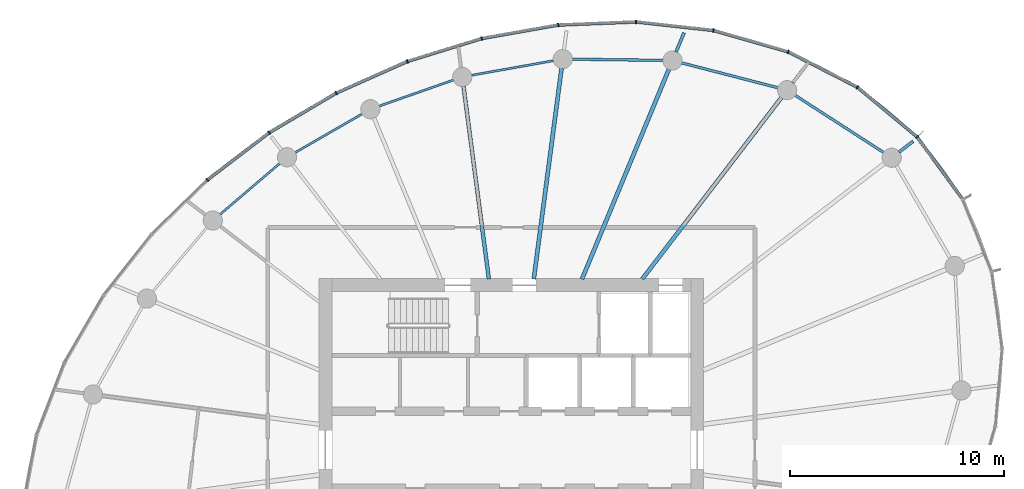
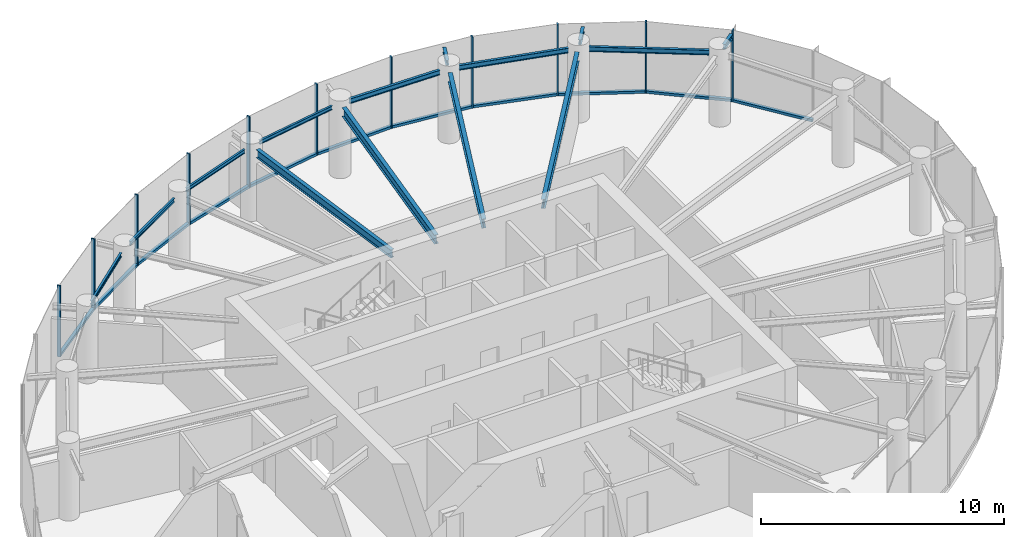
# One storey, part 6 of 13: 22 members, 14 beams, 2 elements without a shape of their own.
"""IFC4 building model written with IfcOpenShell, lengths in metres."""

import ifcopenshell
import ifcopenshell.guid

model = None  # the IFC model being written
_history = None  # IfcOwnerHistory: only IFC2X3 demands one
_inside = {}  # id of a spatial element -> (the spatial element, [elements in it])
_under = {}  # id of a project, library or spatial element -> (it, [spatial elements below it])
_declared = {}  # id of a project -> (the project, [libraries it declares])
_typed = {}  # id of a type object -> (the type object, [elements of that type])
_made_of = {}  # id of a material, layer set ... -> (it, [elements and type objects made of it])


def new_model(schema):
    """Start an empty IFC model of exactly this schema.

    Asked for "IFC4X3", IfcOpenShell would pick the latest addendum, in which some entities
    have other attributes; the version numbers below select the first issue.
    IFC2X3 requires an IfcOwnerHistory on every rooted entity: one is made here for all.
    """
    global model, _history
    if schema == "IFC4X3":
        model = ifcopenshell.file(schema_version=(4, 3, 0, 0))
    else:
        model = ifcopenshell.file(schema=schema)
    _inside.clear()
    _under.clear()
    _declared.clear()
    _typed.clear()
    _made_of.clear()
    _history = None
    if model.schema == "IFC2X3":
        org = make("IfcOrganization", Name="unknown")
        user = make(
            "IfcPersonAndOrganization",
            ThePerson=make("IfcPerson", FamilyName="unknown"),
            TheOrganization=org,
        )
        app = make(
            "IfcApplication",
            ApplicationDeveloper=org,
            Version="unknown",
            ApplicationFullName="unknown",
            ApplicationIdentifier="unknown",
        )
        _history = make(
            "IfcOwnerHistory",
            OwningUser=user,
            OwningApplication=app,
            ChangeAction="ADDED",
            CreationDate=0,
        )
    return model


def make(cls, **values):
    """One entity of the class cls with the attributes given. An attribute that is None is left unset."""
    return model.create_entity(
        cls, **{name: value for name, value in values.items() if value is not None}
    )


def rooted(cls, **values):
    """An entity with a GlobalId (a new one), such as an element, a storey or a relation."""
    return make(cls, GlobalId=ifcopenshell.guid.new(), OwnerHistory=_history, **values)


def si_unit(unit_type, name, prefix=None):
    """IfcSIUnit, for example si_unit("LENGTHUNIT", "METRE", prefix="MILLI")."""
    return make("IfcSIUnit", UnitType=unit_type, Prefix=prefix, Name=name)


def assignment(units):
    """IfcUnitAssignment: the units of a project."""
    return None if units is None else make("IfcUnitAssignment", Units=units)


def point(xyz):
    """IfcCartesianPoint."""
    return None if xyz is None else make("IfcCartesianPoint", Coordinates=xyz)


def direction(xyz):
    """IfcDirection."""
    return None if xyz is None else make("IfcDirection", DirectionRatios=xyz)


def frame(location, z_axis=None, x_axis=None):
    """IfcAxis2Placement3D, a coordinate frame: its origin and axes. An axis left out is left unset."""
    return make(
        "IfcAxis2Placement3D",
        Location=point(location),
        Axis=direction(z_axis),
        RefDirection=direction(x_axis),
    )


def frame_2d(location, x_axis=None):
    """IfcAxis2Placement2D, a coordinate frame in the plane: its origin and x axis."""
    return make(
        "IfcAxis2Placement2D", Location=point(location), RefDirection=direction(x_axis)
    )


def origin():
    """The frame at (0, 0, 0) with its axes left unset."""
    return frame((0.0, 0.0, 0.0))


def origin_2d():
    """The frame at (0, 0) in the plane with its x axis left unset."""
    return frame_2d((0.0, 0.0))


def place(relative_to, where):
    """IfcLocalPlacement: puts the frame where relative to a parent placement (None: the world)."""
    return make(
        "IfcLocalPlacement", PlacementRelTo=relative_to, RelativePlacement=where
    )


def context(
    kind, dimensions, precision=None, world=None, true_north=None, identifier=None
):
    """IfcGeometricRepresentationContext, for example the 3D "Model" context."""
    return make(
        "IfcGeometricRepresentationContext",
        ContextIdentifier=identifier,
        ContextType=kind,
        CoordinateSpaceDimension=dimensions,
        Precision=precision,
        WorldCoordinateSystem=world,
        TrueNorth=true_north,
    )


def subcontext(parent, identifier, kind, view, scale=None):
    """IfcGeometricRepresentationSubContext, for example "Body" below "Model"."""
    return make(
        "IfcGeometricRepresentationSubContext",
        ContextIdentifier=identifier,
        ContextType=kind,
        ParentContext=parent,
        TargetScale=scale,
        TargetView=view,
    )


def project(units=None, contexts=None):
    """IfcProject with its units and contexts."""
    return rooted(
        "IfcProject",
        Name="project",
        RepresentationContexts=contexts,
        UnitsInContext=assignment(units),
    )


def spatial(cls, under=None, at=None, **own):
    """A site, building, storey or space (cls), placed at a placement, below another one or the project."""
    s = rooted(cls, ObjectPlacement=at, **own)
    if under is not None:
        _under.setdefault(under.id(), (under, []))[1].append(s)
    return s


def profile(cls, at=None, kind="AREA", **sizes):
    """A parametric profile (cls). Its sizes go by their IFC names, for example OverallWidth=200.0."""
    return make(cls, ProfileType=kind, Position=at, **sizes)


def rectangle(**sizes):
    """IfcRectangleProfileDef."""
    return profile("IfcRectangleProfileDef", **sizes)


def i_section(**sizes):
    """IfcIShapeProfileDef."""
    return profile("IfcIShapeProfileDef", **sizes)


def extrude(swept, where, along, depth):
    """IfcExtrudedAreaSolid: the profile swept, set in the frame where, extruded along a direction by depth."""
    return make(
        "IfcExtrudedAreaSolid",
        SweptArea=swept,
        Position=where,
        ExtrudedDirection=direction(along),
        Depth=depth,
    )


def shape(context_of_items, identifier, shape_type, items):
    """IfcShapeRepresentation: the items that make up one representation, for example the "Body"."""
    return make(
        "IfcShapeRepresentation",
        ContextOfItems=context_of_items,
        RepresentationIdentifier=identifier,
        RepresentationType=shape_type,
        Items=items,
    )


def source(mapping_origin, context_of_items, identifier, shape_type, items):
    """IfcRepresentationMap: a shape defined once, which mapped items show again and again."""
    return make(
        "IfcRepresentationMap",
        MappingOrigin=mapping_origin,
        MappedRepresentation=shape(context_of_items, identifier, shape_type, items),
    )


def transform(
    local_origin,
    x_axis=None,
    y_axis=None,
    z_axis=None,
    scale=None,
    scale2=None,
    scale3=None,
    uniform=True,
):
    """IfcCartesianTransformationOperator3D, or its non-uniform kind. x_axis, y_axis, z_axis: its Axis1, 2, 3."""
    if uniform:
        return make(
            "IfcCartesianTransformationOperator3D",
            Axis1=direction(x_axis),
            Axis2=direction(y_axis),
            LocalOrigin=point(local_origin),
            Scale=scale,
            Axis3=direction(z_axis),
        )
    return make(
        "IfcCartesianTransformationOperator3DnonUniform",
        Axis1=direction(x_axis),
        Axis2=direction(y_axis),
        LocalOrigin=point(local_origin),
        Scale=scale,
        Axis3=direction(z_axis),
        Scale2=scale2,
        Scale3=scale3,
    )


def mapped(mapping_source, mapping_target):
    """IfcMappedItem: shows the shape of a source again, moved by a transform."""
    return make(
        "IfcMappedItem", MappingSource=mapping_source, MappingTarget=mapping_target
    )


def material(Name=None, Category=None):
    """IfcMaterial."""
    return make("IfcMaterial", Name=Name, Category=Category)


def layer(
    of_material, thickness, ventilated=None, Name=None, Category=None, Priority=None
):
    """IfcMaterialLayer: one layer of a wall or slab, of a material (None: an air gap)."""
    return make(
        "IfcMaterialLayer",
        Material=of_material,
        LayerThickness=thickness,
        IsVentilated=ventilated,
        Name=Name,
        Category=Category,
        Priority=Priority,
    )


def layer_set(layers, Name=None):
    """IfcMaterialLayerSet."""
    return make("IfcMaterialLayerSet", MaterialLayers=layers, LayerSetName=Name)


def material_profile(
    of_material, cross_section, Name=None, Category=None, Priority=None
):
    """IfcMaterialProfile: a cross section and its material."""
    return make(
        "IfcMaterialProfile",
        Name=Name,
        Material=of_material,
        Profile=cross_section,
        Priority=Priority,
        Category=Category,
    )


def profile_set(profiles, Name=None, composite=None):
    """IfcMaterialProfileSet."""
    return make(
        "IfcMaterialProfileSet",
        Name=Name,
        MaterialProfiles=profiles,
        CompositeProfile=composite,
    )


def made_of(thing, what):
    """Note that an element or type object is made of a material, layer set ...; save() writes the relation."""
    if what is not None:
        _made_of.setdefault(what.id(), (what, []))[1].append(thing)
    return thing


def type_object(cls, material=None, **own):
    """A type object (cls), such as IfcWallType, which elements share."""
    return made_of(rooted(cls, **own), material)


def element(
    cls,
    number,
    at=None,
    inside=None,
    cuts=None,
    type_object=None,
    material=None,
    context=None,
    identifier="Body",
    shape_type=None,
    held_by="IfcProductDefinitionShape",
    body=None,
    shapes=None,
    **own,
):
    """One element of the class cls, such as IfcWall. Its Tag is "e" and its number.

    at: its placement. inside: the storey or other place that contains it. cuts: it is an
    opening in that element (IfcRelVoidsElement). A single representation is given by context,
    identifier, shape_type and body (its items); several are given by shapes. held_by: the class
    of the entity that holds the representations. save() writes the other relations.
    """
    e = rooted(cls, Tag="e%d" % number, ObjectPlacement=at, **own)
    if body is not None:
        shapes = [shape(context, identifier, shape_type, body)]
    if shapes is not None:
        e.Representation = make(held_by, Representations=shapes)
    if inside is not None:
        _inside.setdefault(inside.id(), (inside, []))[1].append(e)
    if cuts is not None:
        rooted(
            "IfcRelVoidsElement", RelatingBuildingElement=cuts, RelatedOpeningElement=e
        )
    if type_object is not None:
        _typed.setdefault(type_object.id(), (type_object, []))[1].append(e)
    return made_of(e, material)


def aggregate(whole, parts):
    """IfcRelAggregates: a whole, such as a stair, and the parts it consists of."""
    return rooted("IfcRelAggregates", RelatingObject=whole, RelatedObjects=parts)


def save(model, path):
    """Write the relations noted so far, then the file.

    IfcRelAggregates (storeys below a building ...), IfcRelContainedInSpatialStructure (elements
    in a storey), IfcRelDefinesByType, IfcRelAssociatesMaterial and IfcRelDeclares: one each for
    every whole, place, type object, material and project.
    """
    for whole, parts in _under.values():
        aggregate(whole, parts)
    for where, things in _inside.values():
        rooted(
            "IfcRelContainedInSpatialStructure",
            RelatedElements=things,
            RelatingStructure=where,
        )
    for kind, things in _typed.values():
        rooted("IfcRelDefinesByType", RelatedObjects=things, RelatingType=kind)
    for what, things in _made_of.values():
        rooted("IfcRelAssociatesMaterial", RelatedObjects=things, RelatingMaterial=what)
    for by, libraries in _declared.values():
        rooted("IfcRelDeclares", RelatingContext=by, RelatedDefinitions=libraries)
    model.write(path)


model = new_model("IFC4")

# Units and contexts
model_context = context("Model", 3, precision=1e-05, world=origin(), true_north=direction((0.0, 1.0)))
body_context = subcontext(model_context, "Body", "Model", "MODEL_VIEW")
ifc_project = project(units=[si_unit("LENGTHUNIT", "METRE"), si_unit("AREAUNIT", "SQUARE_METRE"), si_unit("VOLUMEUNIT", "CUBIC_METRE"), si_unit("PLANEANGLEUNIT", "RADIAN"), si_unit("MASSUNIT", "GRAM", prefix="KILO")], contexts=[model_context])

# Site, building, storey
site_placement = place(None, origin())
site = spatial("IfcSite", under=ifc_project, at=site_placement, CompositionType="ELEMENT")
building_placement = place(site_placement, origin())
building = spatial("IfcBuilding", under=site, at=building_placement, Name="Spindrift Exchange Tower", CompositionType="ELEMENT")
storey_placement = place(building_placement, frame((0.0, 0.0, 218.89990234375)))
storey = spatial("IfcBuildingStorey", under=building, at=storey_placement, Name="L53", CompositionType="ELEMENT", Elevation=218.89990234375)

# Beams
ifc_material_1 = material(Name="Steel Grade 300", Category="steel")
ifc_material_profile_1 = material_profile(ifc_material_1, i_section(OverallWidth=0.14599609375, OverallDepth=0.251953125, WebThickness=0.006103515625, FlangeThickness=0.008544921875, FilletRadius=0.011962890625, at=origin_2d()), Name="250UB31.4")
ifc_profile_set_1 = profile_set([ifc_material_profile_1], Name="Steel Grade 300")
beam_type_1 = type_object("IfcBeamType", Name="Cantilever Beam 250UB31.4 Steel Grade 300", PredefinedType="BEAM", material=ifc_profile_set_1)
shared_shape_1 = source(origin(), body_context, "Body", "SweptSolid", [
    extrude(i_section(OverallWidth=0.14599609375, OverallDepth=0.251953125, WebThickness=0.006103515625, FlangeThickness=0.008544921875, FilletRadius=0.011962890625, at=origin_2d()), origin(), (0.0, 0.0, 1.0), 0.978515625),
])
beam_1_placement = place(storey_placement, frame((59.707275390625, 66.60693359375, 3.4541015625), z_axis=(0.382719033385, 0.923864785283, 0.0), x_axis=(-0.923864785283, 0.382719033385, 0.0)))
element("IfcBeam", 1, at=beam_1_placement, inside=storey, type_object=beam_type_1, Name="L53 cantilever beam R05T", PredefinedType="BEAM", context=body_context, shape_type="MappedRepresentation", body=[
    mapped(shared_shape_1, transform((0.0, 0.0, 0.0), scale=1.0)),
])
ifc_material_profile_2 = material_profile(ifc_material_1, i_section(OverallWidth=0.18994140625, OverallDepth=0.4541015625, WebThickness=0.008544921875, FlangeThickness=0.0126953125, FilletRadius=0.013916015625, at=origin_2d()), Name="460UB67.1")
ifc_profile_set_2 = profile_set([ifc_material_profile_2], Name="Steel Grade 300")
beam_type_2 = type_object("IfcBeamType", Name="Floor Beam 460UB67.1 Steel Grade 300", PredefinedType="BEAM", material=ifc_profile_set_2)
shared_shape_2 = source(origin(), body_context, "Body", "SweptSolid", [
    extrude(i_section(OverallWidth=0.18994140625, OverallDepth=0.4541015625, WebThickness=0.008544921875, FlangeThickness=0.0126953125, FilletRadius=0.013916015625, at=origin_2d()), origin(), (0.0, 0.0, 1.0), 10.711181640625),
])
beam_2_placement = place(storey_placement, frame((58.12646484375, 55.984130859375, 3.35302734375), z_axis=(0.608756401092, 0.793357198322, 0.0), x_axis=(-0.793357198322, 0.608756401092, 0.0)))
element("IfcBeam", 2, at=beam_2_placement, inside=storey, type_object=beam_type_2, Name="L53 radial beam R04A", PredefinedType="BEAM", context=body_context, shape_type="MappedRepresentation", body=[
    mapped(shared_shape_2, transform((0.0, 0.0, 0.0), scale=1.0)),
])
shared_shape_3 = source(origin(), body_context, "Body", "SweptSolid", [
    extrude(i_section(OverallWidth=0.18994140625, OverallDepth=0.4541015625, WebThickness=0.008544921875, FlangeThickness=0.0126953125, FilletRadius=0.013916015625, at=origin_2d()), origin(), (0.0, 0.0, 1.0), 10.64111328125),
])
beam_3_placement = place(storey_placement, frame((55.30615234375, 55.9814453125, 3.35302734375), z_axis=(0.382672627597, 0.923884007919, 0.0), x_axis=(-0.923884007919, 0.382672627597, 0.0)))
element("IfcBeam", 3, at=beam_3_placement, inside=storey, type_object=beam_type_2, Name="L53 radial beam R05A", PredefinedType="BEAM", context=body_context, shape_type="MappedRepresentation", body=[
    mapped(shared_shape_3, transform((0.0, 0.0, 0.0), scale=1.0)),
])
shared_shape_4 = source(origin(), body_context, "Body", "SweptSolid", [
    extrude(i_section(OverallWidth=0.18994140625, OverallDepth=0.4541015625, WebThickness=0.008544921875, FlangeThickness=0.0126953125, FilletRadius=0.013916015625, at=origin_2d()), origin(), (0.0, 0.0, 1.0), 9.95703125),
])
beam_4_placement = place(storey_placement, frame((53.050537109375, 55.980224609375, 3.35302734375), z_axis=(0.130541406635, 0.991442858239, 0.0), x_axis=(-0.991442858239, 0.130541406635, 0.0)))
element("IfcBeam", 4, at=beam_4_placement, inside=storey, type_object=beam_type_2, Name="L53 radial beam R06A", PredefinedType="BEAM", context=body_context, shape_type="MappedRepresentation", body=[
    mapped(shared_shape_4, transform((0.0, 0.0, 0.0), scale=1.0)),
])
ifc_material_profile_3 = material_profile(ifc_material_1, i_section(OverallWidth=0.177978515625, OverallDepth=0.403076171875, WebThickness=0.007568359375, FlangeThickness=0.010986328125, FilletRadius=0.013916015625, at=origin_2d()), Name="410UB53.7")
ifc_profile_set_3 = profile_set([ifc_material_profile_3], Name="Steel Grade 300")
beam_type_3 = type_object("IfcBeamType", Name="Floor Beam 410UB53.7 Steel Grade 300", PredefinedType="BEAM", material=ifc_profile_set_3)
shared_shape_5 = source(origin(), body_context, "Body", "SweptSolid", [
    extrude(i_section(OverallWidth=0.177978515625, OverallDepth=0.403076171875, WebThickness=0.007568359375, FlangeThickness=0.010986328125, FilletRadius=0.013916015625, at=origin_2d()), origin(), (0.0, 0.0, 1.0), 9.11376953125),
])
beam_5_placement = place(storey_placement, frame((50.949462890625, 55.980224609375, 3.378662109375), z_axis=(-0.130536972606, 0.991443442049, 0.0), x_axis=(-0.991443442049, -0.130536972606, 0.0)))
element("IfcBeam", 5, at=beam_5_placement, inside=storey, type_object=beam_type_3, Name="L53 radial beam R07A", PredefinedType="BEAM", context=body_context, shape_type="MappedRepresentation", body=[
    mapped(shared_shape_5, transform((0.0, 0.0, 0.0), scale=1.0)),
])
ifc_material_profile_4 = material_profile(ifc_material_1, i_section(OverallWidth=0.1240234375, OverallDepth=0.248046875, WebThickness=0.0048828125, FlangeThickness=0.008056640625, FilletRadius=0.011962890625, at=origin_2d()), Name="250UB25.7")
ifc_profile_set_4 = profile_set([ifc_material_profile_4], Name="Steel Grade 300")
beam_type_4 = type_object("IfcBeamType", Name="Edge Beam 250UB25.7 Steel Grade 300", PredefinedType="SPANDREL", material=ifc_profile_set_4)
shared_shape_6 = source(origin(), body_context, "Body", "SweptSolid", [
    extrude(i_section(OverallWidth=0.1240234375, OverallDepth=0.248046875, WebThickness=0.0048828125, FlangeThickness=0.008056640625, FilletRadius=0.011962890625, at=origin_2d()), origin(), (0.0, 0.0, 1.0), 4.966552734375),
])
beam_6_placement = place(storey_placement, frame((69.44091796875, 61.893310546875, 3.4560546875), z_axis=(-0.839802198579, 0.54289250065, 0.0), x_axis=(-0.54289250065, -0.839802198579, 0.0)))
element("IfcBeam", 6, at=beam_6_placement, inside=storey, type_object=beam_type_4, Name="L53 edge beam E03", PredefinedType="SPANDREL", context=body_context, shape_type="MappedRepresentation", body=[
    mapped(shared_shape_6, transform((0.0, 0.0, 0.0), scale=1.0)),
])
shared_shape_7 = source(origin(), body_context, "Body", "SweptSolid", [
    extrude(i_section(OverallWidth=0.1240234375, OverallDepth=0.248046875, WebThickness=0.0048828125, FlangeThickness=0.008056640625, FilletRadius=0.011962890625, at=origin_2d()), origin(), (0.0, 0.0, 1.0), 4.682373046875),
])
beam_7_placement = place(storey_placement, frame((64.492431640625, 64.9306640625, 3.4560546875), z_axis=(-0.968201586176, 0.250171318352, 0.0), x_axis=(-0.250171318352, -0.968201586176, 0.0)))
element("IfcBeam", 7, at=beam_7_placement, inside=storey, type_object=beam_type_4, Name="L53 edge beam E04", PredefinedType="SPANDREL", context=body_context, shape_type="MappedRepresentation", body=[
    mapped(shared_shape_7, transform((0.0, 0.0, 0.0), scale=1.0)),
])
shared_shape_8 = source(origin(), body_context, "Body", "SweptSolid", [
    extrude(i_section(OverallWidth=0.1240234375, OverallDepth=0.248046875, WebThickness=0.0048828125, FlangeThickness=0.008056640625, FilletRadius=0.011962890625, at=origin_2d()), origin(), (0.0, 0.0, 1.0), 4.27685546875),
])
beam_8_placement = place(storey_placement, frame((59.11279296875, 66.21533203125, 3.4560546875), z_axis=(-0.999910013527, 0.013415097807, 0.0), x_axis=(-0.013415097807, -0.999910013527, 0.0)))
element("IfcBeam", 8, at=beam_8_placement, inside=storey, type_object=beam_type_4, Name="L53 edge beam E05", PredefinedType="SPANDREL", context=body_context, shape_type="MappedRepresentation", body=[
    mapped(shared_shape_8, transform((0.0, 0.0, 0.0), scale=1.0)),
])
ifc_material_profile_5 = material_profile(ifc_material_1, i_section(OverallWidth=0.09912109375, OverallDepth=0.197998046875, WebThickness=0.00439453125, FlangeThickness=0.007080078125, FilletRadius=0.010986328125, at=origin_2d()), Name="200UB18.2")
ifc_profile_set_5 = profile_set([ifc_material_profile_5], Name="Steel Grade 300")
beam_type_5 = type_object("IfcBeamType", Name="Edge Beam 200UB18.2 Steel Grade 300", PredefinedType="SPANDREL", material=ifc_profile_set_5)
shared_shape_9 = source(origin(), body_context, "Body", "SweptSolid", [
    extrude(i_section(OverallWidth=0.09912109375, OverallDepth=0.197998046875, WebThickness=0.00439453125, FlangeThickness=0.007080078125, FilletRadius=0.010986328125, at=origin_2d()), origin(), (0.0, 0.0, 1.0), 3.916259765625),
])
beam_9_placement = place(storey_placement, frame((53.98291015625, 66.203125, 3.481201171875), z_axis=(-0.984558687682, -0.175054821441, 0.0), x_axis=(0.175054821441, -0.984558687682, 0.0)))
element("IfcBeam", 9, at=beam_9_placement, inside=storey, type_object=beam_type_5, Name="L53 edge beam E06", PredefinedType="SPANDREL", context=body_context, shape_type="MappedRepresentation", body=[
    mapped(shared_shape_9, transform((0.0, 0.0, 0.0), scale=1.0)),
])
shared_shape_10 = source(origin(), body_context, "Body", "SweptSolid", [
    extrude(i_section(OverallWidth=0.09912109375, OverallDepth=0.197998046875, WebThickness=0.00439453125, FlangeThickness=0.007080078125, FilletRadius=0.010986328125, at=origin_2d()), origin(), (0.0, 0.0, 1.0), 3.700439453125),
])
beam_10_placement = place(storey_placement, frame((49.298095703125, 65.300048828125, 3.481201171875), z_axis=(-0.943515334916, -0.331328858957, 0.0), x_axis=(0.331328858957, -0.943515334916, 0.0)))
element("IfcBeam", 10, at=beam_10_placement, inside=storey, type_object=beam_type_5, Name="L53 edge beam E07", PredefinedType="SPANDREL", context=body_context, shape_type="MappedRepresentation", body=[
    mapped(shared_shape_10, transform((0.0, 0.0, 0.0), scale=1.0)),
])
shared_shape_11 = source(origin(), body_context, "Body", "SweptSolid", [
    extrude(i_section(OverallWidth=0.09912109375, OverallDepth=0.197998046875, WebThickness=0.00439453125, FlangeThickness=0.007080078125, FilletRadius=0.010986328125, at=origin_2d()), origin(), (0.0, 0.0, 1.0), 3.64208984375),
])
beam_11_placement = place(storey_placement, frame((45.028564453125, 63.716552734375, 3.481201171875), z_axis=(-0.866364093123, -0.499412913476, 0.0), x_axis=(0.499412913476, -0.866364093123, 0.0)))
element("IfcBeam", 11, at=beam_11_placement, inside=storey, type_object=beam_type_5, Name="L53 edge beam E08", PredefinedType="SPANDREL", context=body_context, shape_type="MappedRepresentation", body=[
    mapped(shared_shape_11, transform((0.0, 0.0, 0.0), scale=1.0)),
])
shared_shape_12 = source(origin(), body_context, "Body", "SweptSolid", [
    extrude(i_section(OverallWidth=0.09912109375, OverallDepth=0.197998046875, WebThickness=0.00439453125, FlangeThickness=0.007080078125, FilletRadius=0.010986328125, at=origin_2d()), origin(), (0.0, 0.0, 1.0), 3.703857421875),
])
beam_12_placement = place(storey_placement, frame((41.173583984375, 61.40380859375, 3.481201171875), z_axis=(-0.7606692863, -0.64913961278, 0.0), x_axis=(0.64913961278, -0.7606692863, 0.0)))
element("IfcBeam", 12, at=beam_12_placement, inside=storey, type_object=beam_type_5, Name="L53 edge beam E09", PredefinedType="SPANDREL", context=body_context, shape_type="MappedRepresentation", body=[
    mapped(shared_shape_12, transform((0.0, 0.0, 0.0), scale=1.0)),
])
shared_shape_13 = source(origin(), body_context, "Body", "SweptSolid", [
    extrude(i_section(OverallWidth=0.14599609375, OverallDepth=0.251953125, WebThickness=0.006103515625, FlangeThickness=0.008544921875, FilletRadius=0.011962890625, at=origin_2d()), origin(), (0.0, 0.0, 1.0), 0.96484375),
])
beam_13_placement = place(storey_placement, frame((65.170654296875, 65.164306640625, 3.4541015625), z_axis=(0.608829895699, 0.793300799258, 0.0), x_axis=(-0.793300799258, 0.608829895699, 0.0)))
element("IfcBeam", 13, at=beam_13_placement, inside=storey, type_object=beam_type_1, Name="L53 cantilever beam R04T", PredefinedType="BEAM", context=body_context, shape_type="MappedRepresentation", body=[
    mapped(shared_shape_13, transform((0.0, 0.0, 0.0), scale=1.0)),
])
shared_shape_14 = source(origin(), body_context, "Body", "SweptSolid", [
    extrude(i_section(OverallWidth=0.14599609375, OverallDepth=0.251953125, WebThickness=0.006103515625, FlangeThickness=0.008544921875, FilletRadius=0.011962890625, at=origin_2d()), origin(), (0.0, 0.0, 1.0), 0.83056640625),
])
beam_14_placement = place(storey_placement, frame((70.143310546875, 61.921875, 3.4541015625), z_axis=(0.793355546488, 0.608758553826, 0.0), x_axis=(-0.608758553826, 0.793355546488, 0.0)))
element("IfcBeam", 14, at=beam_14_placement, inside=storey, type_object=beam_type_1, Name="L53 cantilever beam R03T", PredefinedType="BEAM", context=body_context, shape_type="MappedRepresentation", body=[
    mapped(shared_shape_14, transform((0.0, 0.0, 0.0), scale=1.0)),
])

# Curtain wall, members
ifc_material_2 = material(Name="Fritted laminated glass with bronze frame", Category="glass")
ifc_layer = layer(ifc_material_2, 0.169921875)
ifc_layer_set = layer_set([ifc_layer], Name="ZONE 4 BRONZE FRITTED WALL")
curtain_wall_type = type_object("IfcCurtainWallType", Name="ZONE 4 BRONZE FRITTED WALL", PredefinedType="NOTDEFINED", material=ifc_layer_set)
curtain_wall_1_placement = place(storey_placement, origin())
curtain_wall_1 = element("IfcCurtainWall", 15, at=curtain_wall_1_placement, inside=storey, type_object=curtain_wall_type, Name="L53 Zone 4 Bronze Fritted Wall run 2", PredefinedType="NOTDEFINED")
ifc_material_3 = material(Name="Bronze anodised aluminium", Category="aluminium")
ifc_material_profile_6 = material_profile(ifc_material_3, rectangle(XDim=0.14990234375, YDim=0.125, at=origin_2d()), Name="ZONE 4 BRONZE FRITTED WALL TRANSOM 150X125")
ifc_profile_set_6 = profile_set([ifc_material_profile_6], Name="Bronze anodised aluminium")
member_type_1 = type_object("IfcMemberType", Name="ZONE 4 BRONZE FRITTED WALL TRANSOM 150X125", PredefinedType="USERDEFINED", material=ifc_profile_set_6)
shared_shape_15 = source(origin(), body_context, "Body", "SweptSolid", [
    extrude(rectangle(XDim=0.14990234375, YDim=0.125, at=origin_2d()), origin(), (0.0, 0.0, 1.0), 3.57763671875),
])
member_1_placement = place(storey_placement, frame((40.641845703125, 62.8134765625, 0.0625), z_axis=(-0.794919200852, -0.606715307303, 0.0), x_axis=(0.606715307303, -0.794919200852, 0.0)))
member_1 = element("IfcMember", 16, at=member_1_placement, type_object=member_type_1, Name="L53 transom CW-4.11", ObjectType="TRANSOM", PredefinedType="USERDEFINED", context=body_context, shape_type="MappedRepresentation", body=[
    mapped(shared_shape_15, transform((0.0, 0.0, 0.0), scale=1.0)),
])
shared_shape_16 = source(origin(), body_context, "Body", "SweptSolid", [
    extrude(rectangle(XDim=0.14990234375, YDim=0.125, at=origin_2d()), origin(), (0.0, 0.0, 1.0), 3.577880859375),
])
member_2_placement = place(storey_placement, frame((50.58056640625, 67.2333984375, 0.0625), z_axis=(-0.955541153816, -0.294857768024, 0.0), x_axis=(0.294857768024, -0.955541153816, 0.0)))
member_2 = element("IfcMember", 17, at=member_2_placement, type_object=member_type_1, Name="L53 transom CW-4.8", ObjectType="TRANSOM", PredefinedType="USERDEFINED", context=body_context, shape_type="MappedRepresentation", body=[
    mapped(shared_shape_16, transform((0.0, 0.0, 0.0), scale=1.0)),
])
member_3_placement = place(storey_placement, frame((47.101318359375, 66.15576171875, 0.0625), z_axis=(-0.91381154862, -0.406138466053, 0.0), x_axis=(0.406138466053, -0.91381154862, 0.0)))
member_3 = element("IfcMember", 18, at=member_3_placement, type_object=member_type_1, Name="L53 transom CW-4.9", ObjectType="TRANSOM", PredefinedType="USERDEFINED", context=body_context, shape_type="MappedRepresentation", body=[
    mapped(shared_shape_16, transform((0.0, 0.0, 0.0), scale=1.0)),
])
member_4_placement = place(storey_placement, frame((43.774169921875, 64.6728515625, 0.0625), z_axis=(-0.860458856542, -0.509519927185, 0.0), x_axis=(0.509519927185, -0.860458856542, 0.0)))
member_4 = element("IfcMember", 19, at=member_4_placement, type_object=member_type_1, Name="L53 transom CW-4.10", ObjectType="TRANSOM", PredefinedType="USERDEFINED", context=body_context, shape_type="MappedRepresentation", body=[
    mapped(shared_shape_16, transform((0.0, 0.0, 0.0), scale=1.0)),
])

# Curtain wall, member
curtain_wall_2_placement = place(storey_placement, origin())
curtain_wall_2 = element("IfcCurtainWall", 20, at=curtain_wall_2_placement, inside=storey, type_object=curtain_wall_type, Name="L53 Zone 4 Bronze Fritted Wall run 1", PredefinedType="NOTDEFINED")
shared_shape_17 = source(origin(), body_context, "Body", "SweptSolid", [
    extrude(rectangle(XDim=0.14990234375, YDim=0.125, at=origin_2d()), origin(), (0.0, 0.0, 1.0), 3.5771484375),
])
member_5_placement = place(storey_placement, frame((57.80517578125, 68.018798828125, 0.0625), z_axis=(-0.99921074121, -0.039722722089, 0.0), x_axis=(0.039722722089, -0.99921074121, 0.0)))
member_5 = element("IfcMember", 21, at=member_5_placement, type_object=member_type_1, Name="L53 transom CW-4.6", ObjectType="TRANSOM", PredefinedType="USERDEFINED", context=body_context, shape_type="MappedRepresentation", body=[
    mapped(shared_shape_17, transform((0.0, 0.0, 0.0), scale=1.0)),
])

# Member
shared_shape_18 = source(origin(), body_context, "Body", "SweptSolid", [
    extrude(rectangle(XDim=0.14990234375, YDim=0.125, at=origin_2d()), origin(), (0.0, 0.0, 1.0), 3.577392578125),
])
member_6_placement = place(storey_placement, frame((54.16650390625, 67.869873046875, 0.0625), z_axis=(-0.984812401596, -0.173621812173, 0.0), x_axis=(0.173621812173, -0.984812401596, 0.0)))
member_6 = element("IfcMember", 22, at=member_6_placement, type_object=member_type_1, Name="L53 transom CW-4.7", ObjectType="TRANSOM", PredefinedType="USERDEFINED", context=body_context, shape_type="MappedRepresentation", body=[
    mapped(shared_shape_18, transform((0.0, 0.0, 0.0), scale=1.0)),
])

ifc_material_profile_7 = material_profile(ifc_material_3, rectangle(XDim=0.06494140625, YDim=0.169921875, at=origin_2d()), Name="ZONE 4 BRONZE FRITTED WALL MULLION 65X170")
ifc_profile_set_7 = profile_set([ifc_material_profile_7], Name="Bronze anodised aluminium")
member_type_2 = type_object("IfcMemberType", Name="ZONE 4 BRONZE FRITTED WALL MULLION 65X170", PredefinedType="MULLION", material=ifc_profile_set_7)
shared_shape_19 = source(origin(), body_context, "Body", "SweptSolid", [
    extrude(rectangle(XDim=0.06494140625, YDim=0.169921875, at=origin_2d()), origin(), (0.0, 0.0, 1.0), 3.580078125),
])
member_7_placement = place(storey_placement, frame((70.9892578125, 62.634521484375, 0.0), z_axis=(0.0, 0.0, 1.0), x_axis=(-0.684797351967, 0.728733549892, 0.0)))
member_7 = element("IfcMember", 23, at=member_7_placement, type_object=member_type_2, Name="L53 mullion CW-4.2", PredefinedType="MULLION", context=body_context, shape_type="MappedRepresentation", body=[
    mapped(shared_shape_19, transform((0.0, 0.0, 0.0), scale=1.0)),
])

member_8_placement = place(storey_placement, frame((68.19482421875, 64.96142578125, 0.0), z_axis=(0.0, 0.0, 1.0), x_axis=(-0.834421432251, 0.551126912244, 0.0)))
member_8 = element("IfcMember", 24, at=member_8_placement, type_object=member_type_2, Name="L53 mullion CW-4.3", PredefinedType="MULLION", context=body_context, shape_type="MappedRepresentation", body=[
    mapped(shared_shape_19, transform((0.0, 0.0, 0.0), scale=1.0)),
])

member_9_placement = place(storey_placement, frame((64.9560546875, 66.619140625, 0.0), z_axis=(0.0, 0.0, 1.0), x_axis=(-0.930144589665, 0.367193467148, 0.0)))
member_9 = element("IfcMember", 25, at=member_9_placement, type_object=member_type_2, Name="L53 mullion CW-4.4", PredefinedType="MULLION", context=body_context, shape_type="MappedRepresentation", body=[
    mapped(shared_shape_19, transform((0.0, 0.0, 0.0), scale=1.0)),
])

member_10_placement = place(storey_placement, frame((61.456787109375, 67.621337890625, 0.0), z_axis=(0.0, 0.0, 1.0), x_axis=(-0.981177152632, 0.193109800769, 0.0)))
member_10 = element("IfcMember", 26, at=member_10_placement, type_object=member_type_2, Name="L53 mullion CW-4.5", PredefinedType="MULLION", context=body_context, shape_type="MappedRepresentation", body=[
    mapped(shared_shape_19, transform((0.0, 0.0, 0.0), scale=1.0)),
])

member_11_placement = place(storey_placement, frame((57.837646484375, 68.02001953125, 0.0), z_axis=(0.0, 0.0, 1.0), x_axis=(-0.999386999216, 0.035008938844, 0.0)))
member_11 = element("IfcMember", 27, at=member_11_placement, type_object=member_type_2, Name="L53 mullion CW-4.6", PredefinedType="MULLION", context=body_context, shape_type="MappedRepresentation", body=[
    mapped(shared_shape_19, transform((0.0, 0.0, 0.0), scale=1.0)),
])

member_12_placement = place(storey_placement, frame((54.198486328125, 67.87548828125, 0.0), z_axis=(0.0, 0.0, 1.0), x_axis=(-0.994270390675, -0.10689429464, 0.0)))
member_12 = element("IfcMember", 28, at=member_12_placement, type_object=member_type_2, Name="L53 mullion CW-4.7", PredefinedType="MULLION", context=body_context, shape_type="MappedRepresentation", body=[
    mapped(shared_shape_19, transform((0.0, 0.0, 0.0), scale=1.0)),
])

member_13_placement = place(storey_placement, frame((50.611572265625, 67.2431640625, 0.0), z_axis=(0.0, 0.0, 1.0), x_axis=(-0.972064015487, -0.234715891656, 0.0)))
member_13 = element("IfcMember", 29, at=member_13_placement, type_object=member_type_2, Name="L53 mullion CW-4.8", PredefinedType="MULLION", context=body_context, shape_type="MappedRepresentation", body=[
    mapped(shared_shape_19, transform((0.0, 0.0, 0.0), scale=1.0)),
])

member_14_placement = place(storey_placement, frame((47.130859375, 66.1689453125, 0.0), z_axis=(0.0, 0.0, 1.0), x_axis=(-0.936323218091, -0.35113933312, 0.0)))
member_14 = element("IfcMember", 30, at=member_14_placement, type_object=member_type_2, Name="L53 mullion CW-4.9", PredefinedType="MULLION", context=body_context, shape_type="MappedRepresentation", body=[
    mapped(shared_shape_19, transform((0.0, 0.0, 0.0), scale=1.0)),
])

member_15_placement = place(storey_placement, frame((43.802001953125, 64.689453125, 0.0), z_axis=(0.0, 0.0, 1.0), x_axis=(-0.888632055107, -0.45862083537, 0.0)))
member_15 = element("IfcMember", 31, at=member_15_placement, type_object=member_type_2, Name="L53 mullion CW-4.10", PredefinedType="MULLION", context=body_context, shape_type="MappedRepresentation", body=[
    mapped(shared_shape_19, transform((0.0, 0.0, 0.0), scale=1.0)),
])

member_16_placement = place(storey_placement, frame((40.66748046875, 62.833251953125, 0.0), z_axis=(0.0, 0.0, 1.0), x_axis=(-0.829108449157, -0.559087810219, 0.0)))
member_16 = element("IfcMember", 32, at=member_16_placement, type_object=member_type_2, Name="L53 mullion CW-4.11", PredefinedType="MULLION", context=body_context, shape_type="MappedRepresentation", body=[
    mapped(shared_shape_19, transform((0.0, 0.0, 0.0), scale=1.0)),
])

member_17_placement = place(storey_placement, frame((37.77197265625, 60.623046875, 0.0), z_axis=(0.0, 0.0, 1.0), x_axis=(-0.756657450413, -0.653811519274, 0.0)))
member_17 = element("IfcMember", 33, at=member_17_placement, type_object=member_type_2, Name="L53 mullion CW-4.12", PredefinedType="MULLION", context=body_context, shape_type="MappedRepresentation", body=[
    mapped(shared_shape_19, transform((0.0, 0.0, 0.0), scale=1.0)),
])

aggregate(curtain_wall_1, [member_12, member_6, member_13, member_2, member_14, member_3, member_15, member_4, member_16, member_1, member_17])

shared_shape_20 = source(origin(), body_context, "Body", "SweptSolid", [
    extrude(rectangle(XDim=0.14990234375, YDim=0.125, at=origin_2d()), origin(), (0.0, 0.0, 1.0), 3.5703125),
])
member_18_placement = place(storey_placement, frame((73.118408203125, 59.72802734375, 0.0625), z_axis=(-0.590957446839, 0.80670273089, 0.0), x_axis=(-0.80670273089, -0.590957446839, 0.0)))
member_18 = element("IfcMember", 34, at=member_18_placement, type_object=member_type_1, Name="L53 transom CW-4.1", ObjectType="TRANSOM", PredefinedType="USERDEFINED", context=body_context, shape_type="MappedRepresentation", body=[
    mapped(shared_shape_20, transform((0.0, 0.0, 0.0), scale=1.0)),
])

shared_shape_21 = source(origin(), body_context, "Body", "SweptSolid", [
    extrude(rectangle(XDim=0.14990234375, YDim=0.125, at=origin_2d()), origin(), (0.0, 0.0, 1.0), 3.571533203125),
])
member_19_placement = place(storey_placement, frame((70.96435546875, 62.6552734375, 0.0625), z_axis=(-0.768467755551, 0.639888512695, 0.0), x_axis=(-0.639888512695, -0.768467755551, 0.0)))
member_19 = element("IfcMember", 35, at=member_19_placement, type_object=member_type_1, Name="L53 transom CW-4.2", ObjectType="TRANSOM", PredefinedType="USERDEFINED", context=body_context, shape_type="MappedRepresentation", body=[
    mapped(shared_shape_21, transform((0.0, 0.0, 0.0), scale=1.0)),
])

shared_shape_22 = source(origin(), body_context, "Body", "SweptSolid", [
    extrude(rectangle(XDim=0.14990234375, YDim=0.125, at=origin_2d()), origin(), (0.0, 0.0, 1.0), 3.5732421875),
])
member_20_placement = place(storey_placement, frame((68.165771484375, 64.976318359375, 0.0625), z_axis=(-0.890192747511, 0.455584100116, 0.0), x_axis=(-0.455584100116, -0.890192747511, 0.0)))
member_20 = element("IfcMember", 36, at=member_20_placement, type_object=member_type_1, Name="L53 transom CW-4.3", ObjectType="TRANSOM", PredefinedType="USERDEFINED", context=body_context, shape_type="MappedRepresentation", body=[
    mapped(shared_shape_22, transform((0.0, 0.0, 0.0), scale=1.0)),
])

shared_shape_23 = source(origin(), body_context, "Body", "SweptSolid", [
    extrude(rectangle(XDim=0.14990234375, YDim=0.125, at=origin_2d()), origin(), (0.0, 0.0, 1.0), 3.574951171875),
])
member_21_placement = place(storey_placement, frame((64.9248046875, 66.6279296875, 0.0625), z_axis=(-0.961343346973, 0.275352445478, 0.0), x_axis=(-0.275352445478, -0.961343346973, 0.0)))
member_21 = element("IfcMember", 37, at=member_21_placement, type_object=member_type_1, Name="L53 transom CW-4.4", ObjectType="TRANSOM", PredefinedType="USERDEFINED", context=body_context, shape_type="MappedRepresentation", body=[
    mapped(shared_shape_23, transform((0.0, 0.0, 0.0), scale=1.0)),
])

shared_shape_24 = source(origin(), body_context, "Body", "SweptSolid", [
    extrude(rectangle(XDim=0.14990234375, YDim=0.125, at=origin_2d()), origin(), (0.0, 0.0, 1.0), 3.576171875),
])
member_22_placement = place(storey_placement, frame((61.424560546875, 67.624755859375, 0.0625), z_axis=(-0.993986535389, 0.109502362827, 0.0), x_axis=(-0.109502362827, -0.993986535389, 0.0)))
member_22 = element("IfcMember", 38, at=member_22_placement, type_object=member_type_1, Name="L53 transom CW-4.5", ObjectType="TRANSOM", PredefinedType="USERDEFINED", context=body_context, shape_type="MappedRepresentation", body=[
    mapped(shared_shape_24, transform((0.0, 0.0, 0.0), scale=1.0)),
])

aggregate(curtain_wall_2, [member_18, member_7, member_19, member_8, member_20, member_9, member_21, member_10, member_22, member_11, member_5])

save(model, "model.ifc")
